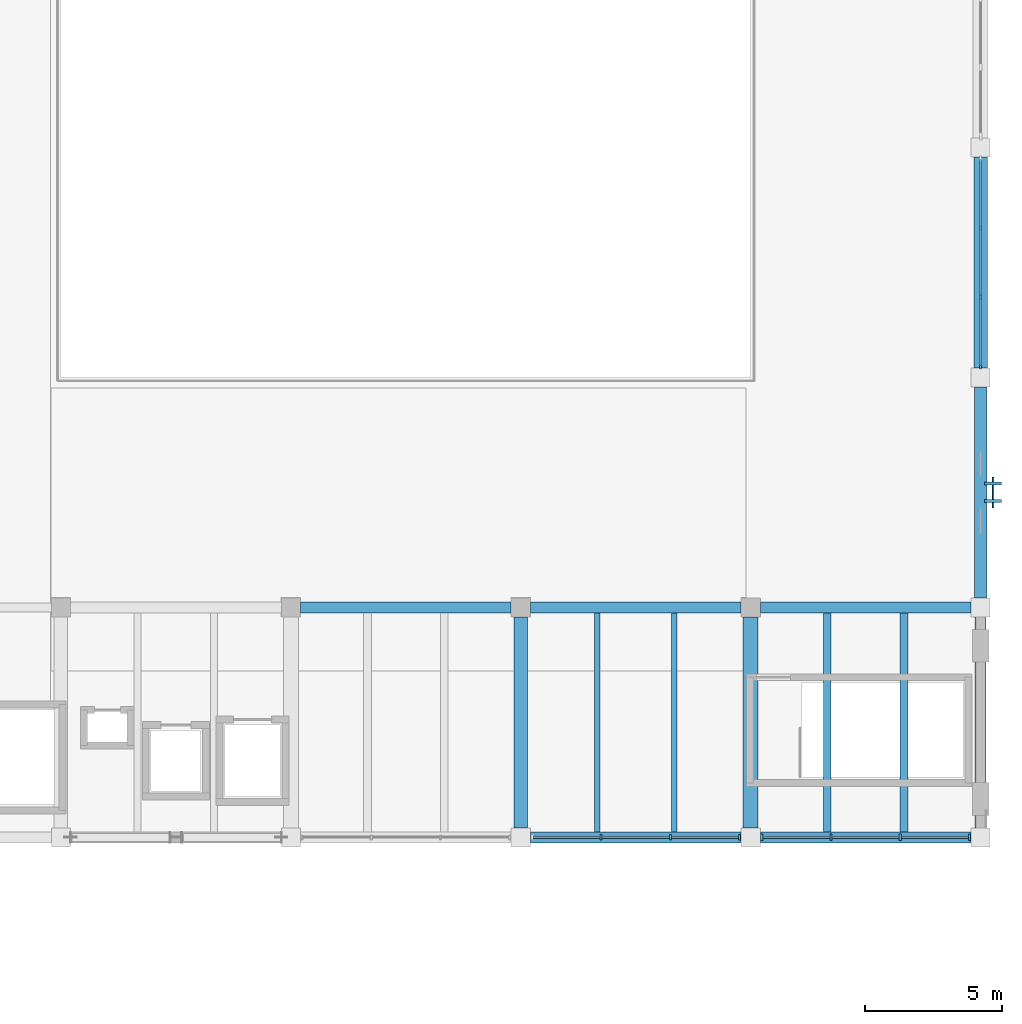
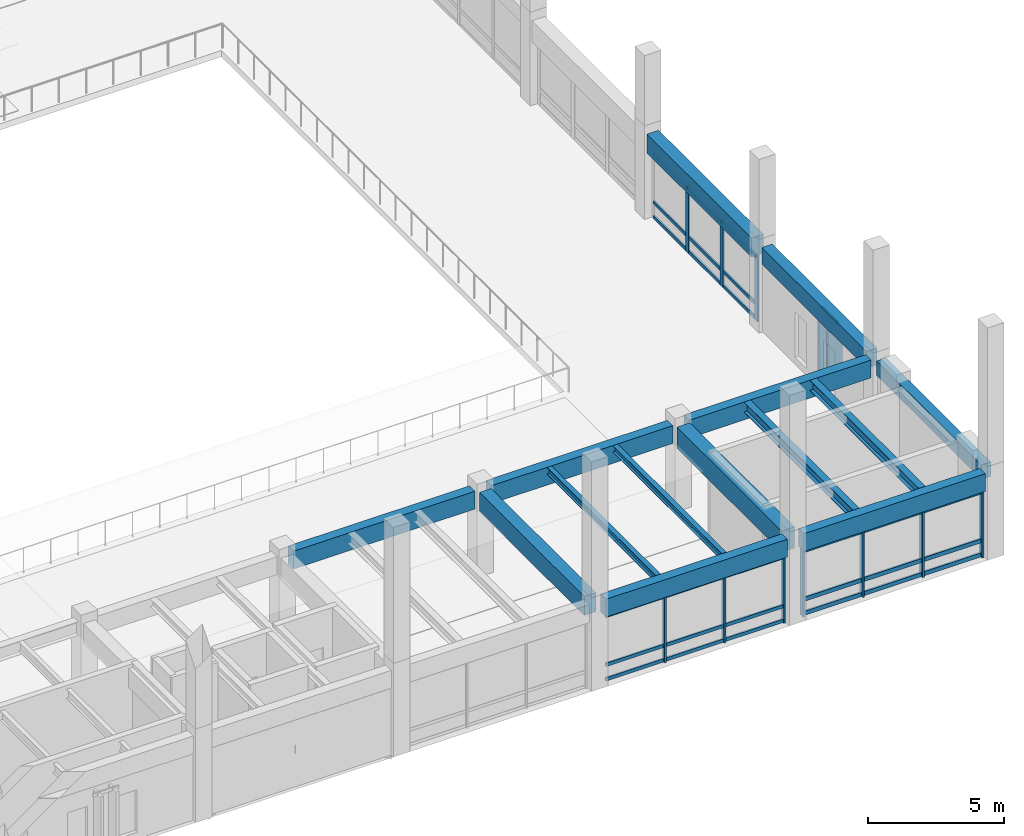
# One storey, part 53 of 132: 40 members, 14 beams, 4 elements without a shape of their own.
"""IFC4 building model written with IfcOpenShell, lengths in metres."""

import ifcopenshell
import ifcopenshell.guid

model = None  # the IFC model being written
_history = None  # IfcOwnerHistory: only IFC2X3 demands one
_inside = {}  # id of a spatial element -> (the spatial element, [elements in it])
_under = {}  # id of a project, library or spatial element -> (it, [spatial elements below it])
_declared = {}  # id of a project -> (the project, [libraries it declares])
_typed = {}  # id of a type object -> (the type object, [elements of that type])
_made_of = {}  # id of a material, layer set ... -> (it, [elements and type objects made of it])


def new_model(schema):
    """Start an empty IFC model of exactly this schema.

    Asked for "IFC4X3", IfcOpenShell would pick the latest addendum, in which some entities
    have other attributes; the version numbers below select the first issue.
    IFC2X3 requires an IfcOwnerHistory on every rooted entity: one is made here for all.
    """
    global model, _history
    if schema == "IFC4X3":
        model = ifcopenshell.file(schema_version=(4, 3, 0, 0))
    else:
        model = ifcopenshell.file(schema=schema)
    _inside.clear()
    _under.clear()
    _declared.clear()
    _typed.clear()
    _made_of.clear()
    _history = None
    if model.schema == "IFC2X3":
        org = make("IfcOrganization", Name="unknown")
        user = make(
            "IfcPersonAndOrganization",
            ThePerson=make("IfcPerson", FamilyName="unknown"),
            TheOrganization=org,
        )
        app = make(
            "IfcApplication",
            ApplicationDeveloper=org,
            Version="unknown",
            ApplicationFullName="unknown",
            ApplicationIdentifier="unknown",
        )
        _history = make(
            "IfcOwnerHistory",
            OwningUser=user,
            OwningApplication=app,
            ChangeAction="ADDED",
            CreationDate=0,
        )
    return model


def make(cls, **values):
    """One entity of the class cls with the attributes given. An attribute that is None is left unset."""
    return model.create_entity(
        cls, **{name: value for name, value in values.items() if value is not None}
    )


def rooted(cls, **values):
    """An entity with a GlobalId (a new one), such as an element, a storey or a relation."""
    return make(cls, GlobalId=ifcopenshell.guid.new(), OwnerHistory=_history, **values)


def si_unit(unit_type, name, prefix=None):
    """IfcSIUnit, for example si_unit("LENGTHUNIT", "METRE", prefix="MILLI")."""
    return make("IfcSIUnit", UnitType=unit_type, Prefix=prefix, Name=name)


def assignment(units):
    """IfcUnitAssignment: the units of a project."""
    return None if units is None else make("IfcUnitAssignment", Units=units)


def point(xyz):
    """IfcCartesianPoint."""
    return None if xyz is None else make("IfcCartesianPoint", Coordinates=xyz)


def direction(xyz):
    """IfcDirection."""
    return None if xyz is None else make("IfcDirection", DirectionRatios=xyz)


def frame(location, z_axis=None, x_axis=None):
    """IfcAxis2Placement3D, a coordinate frame: its origin and axes. An axis left out is left unset."""
    return make(
        "IfcAxis2Placement3D",
        Location=point(location),
        Axis=direction(z_axis),
        RefDirection=direction(x_axis),
    )


def frame_2d(location, x_axis=None):
    """IfcAxis2Placement2D, a coordinate frame in the plane: its origin and x axis."""
    return make(
        "IfcAxis2Placement2D", Location=point(location), RefDirection=direction(x_axis)
    )


def origin():
    """The frame at (0, 0, 0) with its axes left unset."""
    return frame((0.0, 0.0, 0.0))


def origin_2d():
    """The frame at (0, 0) in the plane with its x axis left unset."""
    return frame_2d((0.0, 0.0))


def place(relative_to, where):
    """IfcLocalPlacement: puts the frame where relative to a parent placement (None: the world)."""
    return make(
        "IfcLocalPlacement", PlacementRelTo=relative_to, RelativePlacement=where
    )


def context(
    kind, dimensions, precision=None, world=None, true_north=None, identifier=None
):
    """IfcGeometricRepresentationContext, for example the 3D "Model" context."""
    return make(
        "IfcGeometricRepresentationContext",
        ContextIdentifier=identifier,
        ContextType=kind,
        CoordinateSpaceDimension=dimensions,
        Precision=precision,
        WorldCoordinateSystem=world,
        TrueNorth=true_north,
    )


def subcontext(parent, identifier, kind, view, scale=None):
    """IfcGeometricRepresentationSubContext, for example "Body" below "Model"."""
    return make(
        "IfcGeometricRepresentationSubContext",
        ContextIdentifier=identifier,
        ContextType=kind,
        ParentContext=parent,
        TargetScale=scale,
        TargetView=view,
    )


def project(units=None, contexts=None):
    """IfcProject with its units and contexts."""
    return rooted(
        "IfcProject",
        Name="project",
        RepresentationContexts=contexts,
        UnitsInContext=assignment(units),
    )


def spatial(cls, under=None, at=None, **own):
    """A site, building, storey or space (cls), placed at a placement, below another one or the project."""
    s = rooted(cls, ObjectPlacement=at, **own)
    if under is not None:
        _under.setdefault(under.id(), (under, []))[1].append(s)
    return s


def profile(cls, at=None, kind="AREA", **sizes):
    """A parametric profile (cls). Its sizes go by their IFC names, for example OverallWidth=200.0."""
    return make(cls, ProfileType=kind, Position=at, **sizes)


def rectangle(**sizes):
    """IfcRectangleProfileDef."""
    return profile("IfcRectangleProfileDef", **sizes)


def i_section(**sizes):
    """IfcIShapeProfileDef."""
    return profile("IfcIShapeProfileDef", **sizes)


def extrude(swept, where, along, depth):
    """IfcExtrudedAreaSolid: the profile swept, set in the frame where, extruded along a direction by depth."""
    return make(
        "IfcExtrudedAreaSolid",
        SweptArea=swept,
        Position=where,
        ExtrudedDirection=direction(along),
        Depth=depth,
    )


def shape(context_of_items, identifier, shape_type, items):
    """IfcShapeRepresentation: the items that make up one representation, for example the "Body"."""
    return make(
        "IfcShapeRepresentation",
        ContextOfItems=context_of_items,
        RepresentationIdentifier=identifier,
        RepresentationType=shape_type,
        Items=items,
    )


def material(Name=None, Category=None):
    """IfcMaterial."""
    return make("IfcMaterial", Name=Name, Category=Category)


def material_profile(
    of_material, cross_section, Name=None, Category=None, Priority=None
):
    """IfcMaterialProfile: a cross section and its material."""
    return make(
        "IfcMaterialProfile",
        Name=Name,
        Material=of_material,
        Profile=cross_section,
        Priority=Priority,
        Category=Category,
    )


def profile_set(profiles, Name=None, composite=None):
    """IfcMaterialProfileSet."""
    return make(
        "IfcMaterialProfileSet",
        Name=Name,
        MaterialProfiles=profiles,
        CompositeProfile=composite,
    )


def made_of(thing, what):
    """Note that an element or type object is made of a material, layer set ...; save() writes the relation."""
    if what is not None:
        _made_of.setdefault(what.id(), (what, []))[1].append(thing)
    return thing


def type_object(cls, material=None, **own):
    """A type object (cls), such as IfcWallType, which elements share."""
    return made_of(rooted(cls, **own), material)


def element(
    cls,
    number,
    at=None,
    inside=None,
    cuts=None,
    type_object=None,
    material=None,
    context=None,
    identifier="Body",
    shape_type=None,
    held_by="IfcProductDefinitionShape",
    body=None,
    shapes=None,
    **own,
):
    """One element of the class cls, such as IfcWall. Its Tag is "e" and its number.

    at: its placement. inside: the storey or other place that contains it. cuts: it is an
    opening in that element (IfcRelVoidsElement). A single representation is given by context,
    identifier, shape_type and body (its items); several are given by shapes. held_by: the class
    of the entity that holds the representations. save() writes the other relations.
    """
    e = rooted(cls, Tag="e%d" % number, ObjectPlacement=at, **own)
    if body is not None:
        shapes = [shape(context, identifier, shape_type, body)]
    if shapes is not None:
        e.Representation = make(held_by, Representations=shapes)
    if inside is not None:
        _inside.setdefault(inside.id(), (inside, []))[1].append(e)
    if cuts is not None:
        rooted(
            "IfcRelVoidsElement", RelatingBuildingElement=cuts, RelatedOpeningElement=e
        )
    if type_object is not None:
        _typed.setdefault(type_object.id(), (type_object, []))[1].append(e)
    return made_of(e, material)


def aggregate(whole, parts):
    """IfcRelAggregates: a whole, such as a stair, and the parts it consists of."""
    return rooted("IfcRelAggregates", RelatingObject=whole, RelatedObjects=parts)


def save(model, path):
    """Write the relations noted so far, then the file.

    IfcRelAggregates (storeys below a building ...), IfcRelContainedInSpatialStructure (elements
    in a storey), IfcRelDefinesByType, IfcRelAssociatesMaterial and IfcRelDeclares: one each for
    every whole, place, type object, material and project.
    """
    for whole, parts in _under.values():
        aggregate(whole, parts)
    for where, things in _inside.values():
        rooted(
            "IfcRelContainedInSpatialStructure",
            RelatedElements=things,
            RelatingStructure=where,
        )
    for kind, things in _typed.values():
        rooted("IfcRelDefinesByType", RelatedObjects=things, RelatingType=kind)
    for what, things in _made_of.values():
        rooted("IfcRelAssociatesMaterial", RelatedObjects=things, RelatingMaterial=what)
    for by, libraries in _declared.values():
        rooted("IfcRelDeclares", RelatingContext=by, RelatedDefinitions=libraries)
    model.write(path)


model = new_model("IFC4")

# Units and contexts
model_context = context("Model", 3, precision=1e-05, world=origin(), true_north=direction((0.0, 1.0)))
body_context = subcontext(model_context, "Body", "Model", "MODEL_VIEW")
ifc_project = project(units=[si_unit("LENGTHUNIT", "METRE"), si_unit("AREAUNIT", "SQUARE_METRE"), si_unit("VOLUMEUNIT", "CUBIC_METRE"), si_unit("PLANEANGLEUNIT", "RADIAN"), si_unit("MASSUNIT", "GRAM", prefix="KILO")], contexts=[model_context])

# Site, building, storey
site_placement = place(None, origin())
site = spatial("IfcSite", under=ifc_project, at=site_placement, CompositionType="ELEMENT")
building_placement = place(site_placement, origin())
building = spatial("IfcBuilding", under=site, at=building_placement, Name="Cumbredor Promenade Congress Hotel", CompositionType="ELEMENT")
storey_placement = place(building_placement, frame((0.0, 0.0, 7.56005859375)))
storey = spatial("IfcBuildingStorey", under=building, at=storey_placement, Name="L02", CompositionType="ELEMENT", Elevation=7.56005859375)

# Beams
ifc_material_1 = material(Name="Concrete C40/50", Category="concrete")
ifc_material_profile_1 = material_profile(ifc_material_1, rectangle(XDim=0.39990234375, YDim=0.64990234375, at=origin_2d()), Name="RC BEAM 400x650")
ifc_profile_set_1 = profile_set([ifc_material_profile_1], Name="Concrete C40/50")
beam_type_1 = type_object("IfcBeamType", Name="BM-RC-400x650", PredefinedType="BEAM", material=ifc_profile_set_1)
beam_1_placement = place(storey_placement, frame((184.800048828125, 8.75, 3.474853515625), z_axis=(0.0, 1.0, 0.0), x_axis=(-1.0, 0.0, 0.0)))
element("IfcBeam", 1, at=beam_1_placement, inside=storey, type_object=beam_type_1, Name="L03 Y-Grid Beam 252", PredefinedType="BEAM", context=body_context, shape_type="SweptSolid", body=[
    extrude(rectangle(XDim=0.39990234375, YDim=0.64990234375, at=origin_2d()), origin(), (0.0, 0.0, 1.0), 7.699951171875),
])
ifc_material_profile_2 = material_profile(ifc_material_1, rectangle(XDim=0.449951171875, YDim=0.75, at=origin_2d()), Name="RC BEAM 450x750")
ifc_profile_set_2 = profile_set([ifc_material_profile_2], Name="Concrete C40/50")
beam_type_2 = type_object("IfcBeamType", Name="BM-RC-450x750", PredefinedType="BEAM", material=ifc_profile_set_2)
beam_2_placement = place(storey_placement, frame((184.800048828125, 17.14990234375, 3.425048828125), z_axis=(0.0, 1.0, 0.0), x_axis=(-1.0, 0.0, 0.0)))
element("IfcBeam", 2, at=beam_2_placement, inside=storey, type_object=beam_type_2, Name="L03 Y-Grid Beam 253", PredefinedType="BEAM", context=body_context, shape_type="SweptSolid", body=[
    extrude(rectangle(XDim=0.449951171875, YDim=0.75, at=origin_2d()), origin(), (0.0, 0.0, 1.0), 7.7001953125),
])
ifc_material_profile_3 = material_profile(ifc_material_1, rectangle(XDim=0.5, YDim=0.85009765625, at=origin_2d()), Name="RC BEAM 500x850")
ifc_profile_set_3 = profile_set([ifc_material_profile_3], Name="Concrete C40/50")
beam_type_3 = type_object("IfcBeamType", Name="BM-RC-500x850", PredefinedType="BEAM", material=ifc_profile_set_3)
for number, where, z_axis, x_axis, name in (
    (3, (168.0, 8.75, 3.375), (0.0, 1.0, 0.0), (-1.0, 0.0, 0.0), "L03 Y-Grid Beam 230"),
    (4, (184.800048828125, 25.550048828125, 3.375), (0.0, 1.0, 0.0), (-1.0, 0.0, 0.0), "L03 Y-Grid Beam 254"),
):
    element("IfcBeam", number, at=place(storey_placement, frame(where, z_axis=z_axis, x_axis=x_axis)), inside=storey, type_object=beam_type_3, Name=name, PredefinedType="BEAM", context=body_context, shape_type="SweptSolid", body=[
        extrude(rectangle(XDim=0.5, YDim=0.85009765625, at=origin_2d()), origin(), (0.0, 0.0, 1.0), 7.699951171875),
    ])
ifc_material_profile_4 = material_profile(ifc_material_1, rectangle(XDim=0.550048828125, YDim=0.949951171875, at=origin_2d()), Name="RC BEAM 550x950")
ifc_profile_set_4 = profile_set([ifc_material_profile_4], Name="Concrete C40/50")
beam_type_4 = type_object("IfcBeamType", Name="BM-RC-550x950", PredefinedType="BEAM", material=ifc_profile_set_4)
beam_3_placement = place(storey_placement, frame((176.39990234375, 8.75, 3.324951171875), z_axis=(0.0, 1.0, 0.0), x_axis=(-1.0, 0.0, 0.0)))
element("IfcBeam", 5, at=beam_3_placement, inside=storey, type_object=beam_type_4, Name="L03 Y-Grid Beam 243", PredefinedType="BEAM", context=body_context, shape_type="SweptSolid", body=[
    extrude(rectangle(XDim=0.550048828125, YDim=0.949951171875, at=origin_2d()), origin(), (0.0, 0.0, 1.0), 7.699951171875),
])

# Curtain wall, members
ifc_material_2 = material(Name="Thermally broken anodized aluminium and low-E glass", Category="aluminium")
curtain_wall_type_1 = type_object("IfcCurtainWallType", Name="Unitised Bronze Curtain Wall CW-01", PredefinedType="NOTDEFINED", material=ifc_material_2)
curtain_wall_1_placement = place(storey_placement, origin())
curtain_wall_1 = element("IfcCurtainWall", 6, at=curtain_wall_1_placement, inside=storey, type_object=curtain_wall_type_1, Name="L02 Grand Ballroom Pavilion South Curtain Wall 4", PredefinedType="NOTDEFINED")
ifc_material_3 = material(Name="Thermally broken anodized aluminium", Category="aluminium")
ifc_material_profile_5 = material_profile(ifc_material_3, rectangle(XDim=0.074951171875, YDim=0.199951171875, at=origin_2d()), Name="ALU MULLION 75x200")
ifc_profile_set_5 = profile_set([ifc_material_profile_5], Name="Thermally broken anodized aluminium")
member_type_1 = type_object("IfcMemberType", Name="Curtain Wall Mullion ML-02", PredefinedType="MULLION", material=ifc_profile_set_5)
member_1_placement = place(storey_placement, frame((170.93505859375, 8.39990234375, -0.008056640625), z_axis=(0.0, 0.0, 1.0), x_axis=(1.0, 0.0, 0.0)))
member_1 = element("IfcMember", 7, at=member_1_placement, type_object=member_type_1, Name="L02 Grand Ballroom Pavilion South Curtain Wall 4 Mullion 2", PredefinedType="MULLION", context=body_context, shape_type="SweptSolid", body=[
    extrude(rectangle(XDim=0.074951171875, YDim=0.199951171875, at=origin_2d()), origin(), (0.0, 0.0, 1.0), 3.0009765625),
])
member_2_placement = place(storey_placement, frame((173.465087890625, 8.39990234375, -0.008056640625), z_axis=(0.0, 0.0, 1.0), x_axis=(1.0, 0.0, 0.0)))
member_2 = element("IfcMember", 8, at=member_2_placement, type_object=member_type_1, Name="L02 Grand Ballroom Pavilion South Curtain Wall 4 Mullion 3", PredefinedType="MULLION", context=body_context, shape_type="SweptSolid", body=[
    extrude(rectangle(XDim=0.074951171875, YDim=0.199951171875, at=origin_2d()), origin(), (0.0, 0.0, 1.0), 3.0009765625),
])
member_3_placement = place(storey_placement, frame((175.9951171875, 8.39990234375, -0.008056640625), z_axis=(0.0, 0.0, 1.0), x_axis=(1.0, 0.0, 0.0)))
member_3 = element("IfcMember", 9, at=member_3_placement, type_object=member_type_1, Name="L02 Grand Ballroom Pavilion South Curtain Wall 4 Mullion 4", PredefinedType="MULLION", context=body_context, shape_type="SweptSolid", body=[
    extrude(rectangle(XDim=0.074951171875, YDim=0.199951171875, at=origin_2d()), origin(), (0.0, 0.0, 1.0), 3.0009765625),
])

curtain_wall_2_placement = place(storey_placement, origin())
curtain_wall_2 = element("IfcCurtainWall", 10, at=curtain_wall_2_placement, inside=storey, type_object=curtain_wall_type_1, Name="L02 Grand Ballroom Pavilion East Curtain Wall 3", PredefinedType="NOTDEFINED")
member_4_placement = place(storey_placement, frame((184.800048828125, 25.60498046875, -0.008056640625), z_axis=(0.0, 0.0, 1.0), x_axis=(1.0, 0.0, 0.0)))
member_4 = element("IfcMember", 11, at=member_4_placement, type_object=member_type_1, Name="L02 Grand Ballroom Pavilion East Curtain Wall 3 Mullion 1", PredefinedType="MULLION", context=body_context, shape_type="SweptSolid", body=[
    extrude(rectangle(XDim=0.074951171875, YDim=0.199951171875, at=origin_2d()), origin(), (0.0, 0.0, 1.0), 2.950927734375),
])
member_5_placement = place(storey_placement, frame((184.800048828125, 28.135009765625, -0.008056640625), z_axis=(0.0, 0.0, 1.0), x_axis=(1.0, 0.0, 0.0)))
member_5 = element("IfcMember", 12, at=member_5_placement, type_object=member_type_1, Name="L02 Grand Ballroom Pavilion East Curtain Wall 3 Mullion 2", PredefinedType="MULLION", context=body_context, shape_type="SweptSolid", body=[
    extrude(rectangle(XDim=0.074951171875, YDim=0.199951171875, at=origin_2d()), origin(), (0.0, 0.0, 1.0), 2.950927734375),
])
member_6_placement = place(storey_placement, frame((184.800048828125, 30.6650390625, -0.008056640625), z_axis=(0.0, 0.0, 1.0), x_axis=(1.0, 0.0, 0.0)))
member_6 = element("IfcMember", 13, at=member_6_placement, type_object=member_type_1, Name="L02 Grand Ballroom Pavilion East Curtain Wall 3 Mullion 3", PredefinedType="MULLION", context=body_context, shape_type="SweptSolid", body=[
    extrude(rectangle(XDim=0.074951171875, YDim=0.199951171875, at=origin_2d()), origin(), (0.0, 0.0, 1.0), 2.950927734375),
])

curtain_wall_3_placement = place(storey_placement, origin())
curtain_wall_3 = element("IfcCurtainWall", 14, at=curtain_wall_3_placement, inside=storey, type_object=curtain_wall_type_1, Name="L02 Grand Ballroom Pavilion South Curtain Wall 5", PredefinedType="NOTDEFINED")
ifc_material_profile_6 = material_profile(ifc_material_3, rectangle(XDim=0.080078125, YDim=0.239990234375, at=origin_2d()), Name="ALU MULLION 80x240")
ifc_profile_set_6 = profile_set([ifc_material_profile_6], Name="Thermally broken anodized aluminium")
member_type_2 = type_object("IfcMemberType", Name="Curtain Wall Mullion ML-03", PredefinedType="MULLION", material=ifc_profile_set_6)
member_7_placement = place(storey_placement, frame((176.804931640625, 8.39990234375, -0.008056640625), z_axis=(0.0, 0.0, 1.0), x_axis=(1.0, 0.0, 0.0)))
member_7 = element("IfcMember", 15, at=member_7_placement, type_object=member_type_2, Name="L02 Grand Ballroom Pavilion South Curtain Wall 5 Mullion 1", PredefinedType="MULLION", context=body_context, shape_type="SweptSolid", body=[
    extrude(rectangle(XDim=0.080078125, YDim=0.239990234375, at=origin_2d()), origin(), (0.0, 0.0, 1.0), 3.0009765625),
])
member_8_placement = place(storey_placement, frame((179.3349609375, 8.39990234375, -0.008056640625), z_axis=(0.0, 0.0, 1.0), x_axis=(1.0, 0.0, 0.0)))
member_8 = element("IfcMember", 16, at=member_8_placement, type_object=member_type_2, Name="L02 Grand Ballroom Pavilion South Curtain Wall 5 Mullion 2", PredefinedType="MULLION", context=body_context, shape_type="SweptSolid", body=[
    extrude(rectangle(XDim=0.080078125, YDim=0.239990234375, at=origin_2d()), origin(), (0.0, 0.0, 1.0), 3.0009765625),
])
member_9_placement = place(storey_placement, frame((181.864990234375, 8.39990234375, -0.008056640625), z_axis=(0.0, 0.0, 1.0), x_axis=(1.0, 0.0, 0.0)))
member_9 = element("IfcMember", 17, at=member_9_placement, type_object=member_type_2, Name="L02 Grand Ballroom Pavilion South Curtain Wall 5 Mullion 3", PredefinedType="MULLION", context=body_context, shape_type="SweptSolid", body=[
    extrude(rectangle(XDim=0.080078125, YDim=0.239990234375, at=origin_2d()), origin(), (0.0, 0.0, 1.0), 3.0009765625),
])
member_10_placement = place(storey_placement, frame((184.39501953125, 8.39990234375, -0.008056640625), z_axis=(0.0, 0.0, 1.0), x_axis=(1.0, 0.0, 0.0)))
member_10 = element("IfcMember", 18, at=member_10_placement, type_object=member_type_2, Name="L02 Grand Ballroom Pavilion South Curtain Wall 5 Mullion 4", PredefinedType="MULLION", context=body_context, shape_type="SweptSolid", body=[
    extrude(rectangle(XDim=0.080078125, YDim=0.239990234375, at=origin_2d()), origin(), (0.0, 0.0, 1.0), 3.0009765625),
])

# Curtain wall, member
curtain_wall_type_2 = type_object("IfcCurtainWallType", Name="Solar Brise-Soleil Screen Assembly CW-07", PredefinedType="NOTDEFINED", material=ifc_material_2)
curtain_wall_4_placement = place(storey_placement, origin())
curtain_wall_4 = element("IfcCurtainWall", 19, at=curtain_wall_4_placement, inside=storey, type_object=curtain_wall_type_2, Name="L02 Pier Brise-Soleil Screen 0391", PredefinedType="NOTDEFINED")
ifc_material_profile_7 = material_profile(ifc_material_3, rectangle(XDim=0.06494140625, YDim=0.1298828125, at=origin_2d()), Name="ALU TRANSOM 65x130")
ifc_profile_set_7 = profile_set([ifc_material_profile_7], Name="Thermally broken anodized aluminium")
member_type_3 = type_object("IfcMemberType", Name="Curtain Wall Transom TR-01", PredefinedType="USERDEFINED", material=ifc_profile_set_7)
member_11_placement = place(storey_placement, frame((185.25, 20.449951171875, 2.875), z_axis=(0.0, 1.0, 0.0), x_axis=(-1.0, 0.0, 0.0)))
member_11 = element("IfcMember", 20, at=member_11_placement, type_object=member_type_3, Name="L02 Pier Brise-Soleil Header 0393", ObjectType="TRANSOM", PredefinedType="USERDEFINED", context=body_context, shape_type="SweptSolid", body=[
    extrude(rectangle(XDim=0.06494140625, YDim=0.1298828125, at=origin_2d()), origin(), (0.0, 0.0, 1.0), 1.10009765625),
])

# Member
ifc_material_profile_8 = material_profile(ifc_material_3, rectangle(XDim=0.074951171875, YDim=0.14990234375, at=origin_2d()), Name="ALU TRANSOM 75x150")
ifc_profile_set_8 = profile_set([ifc_material_profile_8], Name="Thermally broken anodized aluminium")
member_type_4 = type_object("IfcMemberType", Name="Curtain Wall Transom TR-02", PredefinedType="USERDEFINED", material=ifc_profile_set_8)
member_12_placement = place(storey_placement, frame((168.4423828125, 8.39990234375, 0.06982421875), z_axis=(1.0, 0.0, 0.0), x_axis=(0.0, 1.0, 0.0)))
member_12 = element("IfcMember", 21, at=member_12_placement, type_object=member_type_4, Name="L02 Grand Ballroom Pavilion South Curtain Wall 4 Transom 1.1", ObjectType="TRANSOM", PredefinedType="USERDEFINED", context=body_context, shape_type="SweptSolid", body=[
    extrude(rectangle(XDim=0.074951171875, YDim=0.14990234375, at=origin_2d()), origin(), (0.0, 0.0, 1.0), 2.455078125),
])

member_13_placement = place(storey_placement, frame((168.4423828125, 8.39990234375, 0.719970703125), z_axis=(1.0, 0.0, 0.0), x_axis=(0.0, 1.0, 0.0)))
member_13 = element("IfcMember", 22, at=member_13_placement, type_object=member_type_4, Name="L02 Grand Ballroom Pavilion South Curtain Wall 4 Transom 1.2", ObjectType="TRANSOM", PredefinedType="USERDEFINED", context=body_context, shape_type="SweptSolid", body=[
    extrude(rectangle(XDim=0.074951171875, YDim=0.14990234375, at=origin_2d()), origin(), (0.0, 0.0, 1.0), 2.455078125),
])

member_14_placement = place(storey_placement, frame((168.4423828125, 8.39990234375, 2.909912109375), z_axis=(1.0, 0.0, 0.0), x_axis=(0.0, 1.0, 0.0)))
member_14 = element("IfcMember", 23, at=member_14_placement, type_object=member_type_4, Name="L02 Grand Ballroom Pavilion South Curtain Wall 4 Transom 1.3", ObjectType="TRANSOM", PredefinedType="USERDEFINED", context=body_context, shape_type="SweptSolid", body=[
    extrude(rectangle(XDim=0.074951171875, YDim=0.14990234375, at=origin_2d()), origin(), (0.0, 0.0, 1.0), 2.455078125),
])

member_15_placement = place(storey_placement, frame((170.972412109375, 8.39990234375, 0.06982421875), z_axis=(1.0, 0.0, 0.0), x_axis=(0.0, 1.0, 0.0)))
member_15 = element("IfcMember", 24, at=member_15_placement, type_object=member_type_4, Name="L02 Grand Ballroom Pavilion South Curtain Wall 4 Transom 2.1", ObjectType="TRANSOM", PredefinedType="USERDEFINED", context=body_context, shape_type="SweptSolid", body=[
    extrude(rectangle(XDim=0.074951171875, YDim=0.14990234375, at=origin_2d()), origin(), (0.0, 0.0, 1.0), 2.455078125),
])

member_16_placement = place(storey_placement, frame((170.972412109375, 8.39990234375, 0.719970703125), z_axis=(1.0, 0.0, 0.0), x_axis=(0.0, 1.0, 0.0)))
member_16 = element("IfcMember", 25, at=member_16_placement, type_object=member_type_4, Name="L02 Grand Ballroom Pavilion South Curtain Wall 4 Transom 2.2", ObjectType="TRANSOM", PredefinedType="USERDEFINED", context=body_context, shape_type="SweptSolid", body=[
    extrude(rectangle(XDim=0.074951171875, YDim=0.14990234375, at=origin_2d()), origin(), (0.0, 0.0, 1.0), 2.455078125),
])

member_17_placement = place(storey_placement, frame((170.972412109375, 8.39990234375, 2.909912109375), z_axis=(1.0, 0.0, 0.0), x_axis=(0.0, 1.0, 0.0)))
member_17 = element("IfcMember", 26, at=member_17_placement, type_object=member_type_4, Name="L02 Grand Ballroom Pavilion South Curtain Wall 4 Transom 2.3", ObjectType="TRANSOM", PredefinedType="USERDEFINED", context=body_context, shape_type="SweptSolid", body=[
    extrude(rectangle(XDim=0.074951171875, YDim=0.14990234375, at=origin_2d()), origin(), (0.0, 0.0, 1.0), 2.455078125),
])

member_18_placement = place(storey_placement, frame((173.50244140625, 8.39990234375, 0.06982421875), z_axis=(1.0, 0.0, 0.0), x_axis=(0.0, 1.0, 0.0)))
member_18 = element("IfcMember", 27, at=member_18_placement, type_object=member_type_4, Name="L02 Grand Ballroom Pavilion South Curtain Wall 4 Transom 3.1", ObjectType="TRANSOM", PredefinedType="USERDEFINED", context=body_context, shape_type="SweptSolid", body=[
    extrude(rectangle(XDim=0.074951171875, YDim=0.14990234375, at=origin_2d()), origin(), (0.0, 0.0, 1.0), 2.455078125),
])

member_19_placement = place(storey_placement, frame((173.50244140625, 8.39990234375, 0.719970703125), z_axis=(1.0, 0.0, 0.0), x_axis=(0.0, 1.0, 0.0)))
member_19 = element("IfcMember", 28, at=member_19_placement, type_object=member_type_4, Name="L02 Grand Ballroom Pavilion South Curtain Wall 4 Transom 3.2", ObjectType="TRANSOM", PredefinedType="USERDEFINED", context=body_context, shape_type="SweptSolid", body=[
    extrude(rectangle(XDim=0.074951171875, YDim=0.14990234375, at=origin_2d()), origin(), (0.0, 0.0, 1.0), 2.455078125),
])

member_20_placement = place(storey_placement, frame((173.50244140625, 8.39990234375, 2.909912109375), z_axis=(1.0, 0.0, 0.0), x_axis=(0.0, 1.0, 0.0)))
member_20 = element("IfcMember", 29, at=member_20_placement, type_object=member_type_4, Name="L02 Grand Ballroom Pavilion South Curtain Wall 4 Transom 3.3", ObjectType="TRANSOM", PredefinedType="USERDEFINED", context=body_context, shape_type="SweptSolid", body=[
    extrude(rectangle(XDim=0.074951171875, YDim=0.14990234375, at=origin_2d()), origin(), (0.0, 0.0, 1.0), 2.455078125),
])

aggregate(curtain_wall_1, [member_1, member_2, member_3, member_12, member_13, member_14, member_15, member_16, member_17, member_18, member_19, member_20])

member_21_placement = place(storey_placement, frame((184.800048828125, 25.642578125, 0.06982421875), z_axis=(0.0, 1.0, 0.0), x_axis=(-1.0, 0.0, 0.0)))
member_21 = element("IfcMember", 30, at=member_21_placement, type_object=member_type_4, Name="L02 Grand Ballroom Pavilion East Curtain Wall 3 Transom 1.1", ObjectType="TRANSOM", PredefinedType="USERDEFINED", context=body_context, shape_type="SweptSolid", body=[
    extrude(rectangle(XDim=0.074951171875, YDim=0.14990234375, at=origin_2d()), origin(), (0.0, 0.0, 1.0), 2.454833984375),
])

member_22_placement = place(storey_placement, frame((184.800048828125, 25.642578125, 0.719970703125), z_axis=(0.0, 1.0, 0.0), x_axis=(-1.0, 0.0, 0.0)))
member_22 = element("IfcMember", 31, at=member_22_placement, type_object=member_type_4, Name="L02 Grand Ballroom Pavilion East Curtain Wall 3 Transom 1.2", ObjectType="TRANSOM", PredefinedType="USERDEFINED", context=body_context, shape_type="SweptSolid", body=[
    extrude(rectangle(XDim=0.074951171875, YDim=0.14990234375, at=origin_2d()), origin(), (0.0, 0.0, 1.0), 2.454833984375),
])

member_23_placement = place(storey_placement, frame((184.800048828125, 25.642578125, 2.85986328125), z_axis=(0.0, 1.0, 0.0), x_axis=(-1.0, 0.0, 0.0)))
member_23 = element("IfcMember", 32, at=member_23_placement, type_object=member_type_4, Name="L02 Grand Ballroom Pavilion East Curtain Wall 3 Transom 1.3", ObjectType="TRANSOM", PredefinedType="USERDEFINED", context=body_context, shape_type="SweptSolid", body=[
    extrude(rectangle(XDim=0.074951171875, YDim=0.14990234375, at=origin_2d()), origin(), (0.0, 0.0, 1.0), 2.454833984375),
])

member_24_placement = place(storey_placement, frame((184.800048828125, 28.172607421875, 0.06982421875), z_axis=(0.0, 1.0, 0.0), x_axis=(-1.0, 0.0, 0.0)))
member_24 = element("IfcMember", 33, at=member_24_placement, type_object=member_type_4, Name="L02 Grand Ballroom Pavilion East Curtain Wall 3 Transom 2.1", ObjectType="TRANSOM", PredefinedType="USERDEFINED", context=body_context, shape_type="SweptSolid", body=[
    extrude(rectangle(XDim=0.074951171875, YDim=0.14990234375, at=origin_2d()), origin(), (0.0, 0.0, 1.0), 2.454833984375),
])

member_25_placement = place(storey_placement, frame((184.800048828125, 28.172607421875, 0.719970703125), z_axis=(0.0, 1.0, 0.0), x_axis=(-1.0, 0.0, 0.0)))
member_25 = element("IfcMember", 34, at=member_25_placement, type_object=member_type_4, Name="L02 Grand Ballroom Pavilion East Curtain Wall 3 Transom 2.2", ObjectType="TRANSOM", PredefinedType="USERDEFINED", context=body_context, shape_type="SweptSolid", body=[
    extrude(rectangle(XDim=0.074951171875, YDim=0.14990234375, at=origin_2d()), origin(), (0.0, 0.0, 1.0), 2.454833984375),
])

member_26_placement = place(storey_placement, frame((184.800048828125, 28.172607421875, 2.85986328125), z_axis=(0.0, 1.0, 0.0), x_axis=(-1.0, 0.0, 0.0)))
member_26 = element("IfcMember", 35, at=member_26_placement, type_object=member_type_4, Name="L02 Grand Ballroom Pavilion East Curtain Wall 3 Transom 2.3", ObjectType="TRANSOM", PredefinedType="USERDEFINED", context=body_context, shape_type="SweptSolid", body=[
    extrude(rectangle(XDim=0.074951171875, YDim=0.14990234375, at=origin_2d()), origin(), (0.0, 0.0, 1.0), 2.454833984375),
])

member_27_placement = place(storey_placement, frame((184.800048828125, 30.702392578125, 0.06982421875), z_axis=(0.0, 1.0, 0.0), x_axis=(-1.0, 0.0, 0.0)))
member_27 = element("IfcMember", 36, at=member_27_placement, type_object=member_type_4, Name="L02 Grand Ballroom Pavilion East Curtain Wall 3 Transom 3.1", ObjectType="TRANSOM", PredefinedType="USERDEFINED", context=body_context, shape_type="SweptSolid", body=[
    extrude(rectangle(XDim=0.074951171875, YDim=0.14990234375, at=origin_2d()), origin(), (0.0, 0.0, 1.0), 2.455078125),
])

member_28_placement = place(storey_placement, frame((184.800048828125, 30.702392578125, 0.719970703125), z_axis=(0.0, 1.0, 0.0), x_axis=(-1.0, 0.0, 0.0)))
member_28 = element("IfcMember", 37, at=member_28_placement, type_object=member_type_4, Name="L02 Grand Ballroom Pavilion East Curtain Wall 3 Transom 3.2", ObjectType="TRANSOM", PredefinedType="USERDEFINED", context=body_context, shape_type="SweptSolid", body=[
    extrude(rectangle(XDim=0.074951171875, YDim=0.14990234375, at=origin_2d()), origin(), (0.0, 0.0, 1.0), 2.455078125),
])

member_29_placement = place(storey_placement, frame((184.800048828125, 30.702392578125, 2.85986328125), z_axis=(0.0, 1.0, 0.0), x_axis=(-1.0, 0.0, 0.0)))
member_29 = element("IfcMember", 38, at=member_29_placement, type_object=member_type_4, Name="L02 Grand Ballroom Pavilion East Curtain Wall 3 Transom 3.3", ObjectType="TRANSOM", PredefinedType="USERDEFINED", context=body_context, shape_type="SweptSolid", body=[
    extrude(rectangle(XDim=0.074951171875, YDim=0.14990234375, at=origin_2d()), origin(), (0.0, 0.0, 1.0), 2.455078125),
])

aggregate(curtain_wall_2, [member_4, member_5, member_6, member_21, member_22, member_23, member_24, member_25, member_26, member_27, member_28, member_29])

ifc_material_profile_9 = material_profile(ifc_material_3, rectangle(XDim=0.080078125, YDim=0.179931640625, at=origin_2d()), Name="ALU TRANSOM 80x180")
ifc_profile_set_9 = profile_set([ifc_material_profile_9], Name="Thermally broken anodized aluminium")
member_type_5 = type_object("IfcMemberType", Name="Curtain Wall Transom TR-03", PredefinedType="USERDEFINED", material=ifc_profile_set_9)
member_30_placement = place(storey_placement, frame((176.844970703125, 8.39990234375, 0.08984375), z_axis=(1.0, 0.0, 0.0), x_axis=(0.0, 1.0, 0.0)))
member_30 = element("IfcMember", 39, at=member_30_placement, type_object=member_type_5, Name="L02 Grand Ballroom Pavilion South Curtain Wall 5 Transom 1.1", ObjectType="TRANSOM", PredefinedType="USERDEFINED", context=body_context, shape_type="SweptSolid", body=[
    extrude(rectangle(XDim=0.080078125, YDim=0.179931640625, at=origin_2d()), origin(), (0.0, 0.0, 1.0), 2.449951171875),
])

member_31_placement = place(storey_placement, frame((176.844970703125, 8.39990234375, 0.719970703125), z_axis=(1.0, 0.0, 0.0), x_axis=(0.0, 1.0, 0.0)))
member_31 = element("IfcMember", 40, at=member_31_placement, type_object=member_type_5, Name="L02 Grand Ballroom Pavilion South Curtain Wall 5 Transom 1.2", ObjectType="TRANSOM", PredefinedType="USERDEFINED", context=body_context, shape_type="SweptSolid", body=[
    extrude(rectangle(XDim=0.080078125, YDim=0.179931640625, at=origin_2d()), origin(), (0.0, 0.0, 1.0), 2.449951171875),
])

member_32_placement = place(storey_placement, frame((176.844970703125, 8.39990234375, 2.89990234375), z_axis=(1.0, 0.0, 0.0), x_axis=(0.0, 1.0, 0.0)))
member_32 = element("IfcMember", 41, at=member_32_placement, type_object=member_type_5, Name="L02 Grand Ballroom Pavilion South Curtain Wall 5 Transom 1.3", ObjectType="TRANSOM", PredefinedType="USERDEFINED", context=body_context, shape_type="SweptSolid", body=[
    extrude(rectangle(XDim=0.080078125, YDim=0.179931640625, at=origin_2d()), origin(), (0.0, 0.0, 1.0), 2.449951171875),
])

member_33_placement = place(storey_placement, frame((179.375, 8.39990234375, 0.08984375), z_axis=(1.0, 0.0, 0.0), x_axis=(0.0, 1.0, 0.0)))
member_33 = element("IfcMember", 42, at=member_33_placement, type_object=member_type_5, Name="L02 Grand Ballroom Pavilion South Curtain Wall 5 Transom 2.1", ObjectType="TRANSOM", PredefinedType="USERDEFINED", context=body_context, shape_type="SweptSolid", body=[
    extrude(rectangle(XDim=0.080078125, YDim=0.179931640625, at=origin_2d()), origin(), (0.0, 0.0, 1.0), 2.449951171875),
])

member_34_placement = place(storey_placement, frame((179.375, 8.39990234375, 0.719970703125), z_axis=(1.0, 0.0, 0.0), x_axis=(0.0, 1.0, 0.0)))
member_34 = element("IfcMember", 43, at=member_34_placement, type_object=member_type_5, Name="L02 Grand Ballroom Pavilion South Curtain Wall 5 Transom 2.2", ObjectType="TRANSOM", PredefinedType="USERDEFINED", context=body_context, shape_type="SweptSolid", body=[
    extrude(rectangle(XDim=0.080078125, YDim=0.179931640625, at=origin_2d()), origin(), (0.0, 0.0, 1.0), 2.449951171875),
])

member_35_placement = place(storey_placement, frame((179.375, 8.39990234375, 2.89990234375), z_axis=(1.0, 0.0, 0.0), x_axis=(0.0, 1.0, 0.0)))
member_35 = element("IfcMember", 44, at=member_35_placement, type_object=member_type_5, Name="L02 Grand Ballroom Pavilion South Curtain Wall 5 Transom 2.3", ObjectType="TRANSOM", PredefinedType="USERDEFINED", context=body_context, shape_type="SweptSolid", body=[
    extrude(rectangle(XDim=0.080078125, YDim=0.179931640625, at=origin_2d()), origin(), (0.0, 0.0, 1.0), 2.449951171875),
])

member_36_placement = place(storey_placement, frame((181.905029296875, 8.39990234375, 0.08984375), z_axis=(1.0, 0.0, 0.0), x_axis=(0.0, 1.0, 0.0)))
member_36 = element("IfcMember", 45, at=member_36_placement, type_object=member_type_5, Name="L02 Grand Ballroom Pavilion South Curtain Wall 5 Transom 3.1", ObjectType="TRANSOM", PredefinedType="USERDEFINED", context=body_context, shape_type="SweptSolid", body=[
    extrude(rectangle(XDim=0.080078125, YDim=0.179931640625, at=origin_2d()), origin(), (0.0, 0.0, 1.0), 2.449951171875),
])

member_37_placement = place(storey_placement, frame((181.905029296875, 8.39990234375, 0.719970703125), z_axis=(1.0, 0.0, 0.0), x_axis=(0.0, 1.0, 0.0)))
member_37 = element("IfcMember", 46, at=member_37_placement, type_object=member_type_5, Name="L02 Grand Ballroom Pavilion South Curtain Wall 5 Transom 3.2", ObjectType="TRANSOM", PredefinedType="USERDEFINED", context=body_context, shape_type="SweptSolid", body=[
    extrude(rectangle(XDim=0.080078125, YDim=0.179931640625, at=origin_2d()), origin(), (0.0, 0.0, 1.0), 2.449951171875),
])

member_38_placement = place(storey_placement, frame((181.905029296875, 8.39990234375, 2.89990234375), z_axis=(1.0, 0.0, 0.0), x_axis=(0.0, 1.0, 0.0)))
member_38 = element("IfcMember", 47, at=member_38_placement, type_object=member_type_5, Name="L02 Grand Ballroom Pavilion South Curtain Wall 5 Transom 3.3", ObjectType="TRANSOM", PredefinedType="USERDEFINED", context=body_context, shape_type="SweptSolid", body=[
    extrude(rectangle(XDim=0.080078125, YDim=0.179931640625, at=origin_2d()), origin(), (0.0, 0.0, 1.0), 2.449951171875),
])

aggregate(curtain_wall_3, [member_7, member_8, member_9, member_10, member_30, member_31, member_32, member_33, member_34, member_35, member_36, member_37, member_38])

# Beams
ifc_material_4 = material(Name="Steel ASTM A992 Grade 50", Category="steel")
ifc_material_profile_10 = material_profile(ifc_material_4, i_section(OverallWidth=0.202880859375, OverallDepth=0.302978515625, WebThickness=0.007568359375, FlangeThickness=0.01318359375, at=origin_2d()), Name="W12X40")
ifc_profile_set_10 = profile_set([ifc_material_profile_10], Name="Steel ASTM A992 Grade 50")
beam_type_5 = type_object("IfcBeamType", Name="JST-W12X40", PredefinedType="JOIST", material=ifc_profile_set_10)
for number, where, z_axis, x_axis, name in (
    (48, (170.800048828125, 8.60009765625, 3.6484375), (0.0, 1.0, 0.0), (-1.0, 0.0, 0.0), "L03 Secondary Floor Joist 0136"),
    (49, (173.60009765625, 8.60009765625, 3.6484375), (0.0, 1.0, 0.0), (-1.0, 0.0, 0.0), "L03 Secondary Floor Joist 0137"),
):
    element("IfcBeam", number, at=place(storey_placement, frame(where, z_axis=z_axis, x_axis=x_axis)), inside=storey, type_object=beam_type_5, Name=name, PredefinedType="JOIST", context=body_context, shape_type="SweptSolid", body=[
        extrude(i_section(OverallWidth=0.202880859375, OverallDepth=0.302978515625, WebThickness=0.007568359375, FlangeThickness=0.01318359375, at=origin_2d()), origin(), (0.0, 0.0, 1.0), 8.0),
    ])
ifc_material_profile_11 = material_profile(ifc_material_4, i_section(OverallWidth=0.280029296875, OverallDepth=0.462890625, WebThickness=0.0107421875, FlangeThickness=0.017333984375, at=origin_2d()), Name="W18X76")
ifc_profile_set_11 = profile_set([ifc_material_profile_11], Name="Steel ASTM A992 Grade 50")
beam_type_6 = type_object("IfcBeamType", Name="JST-W18X76", PredefinedType="JOIST", material=ifc_profile_set_11)
for number, where, z_axis, x_axis, name in (
    (50, (179.199951171875, 8.60009765625, 3.568359375), (0.0, 1.0, 0.0), (-1.0, 0.0, 0.0), "L03 Secondary Floor Joist 0144"),
    (51, (182.0, 8.60009765625, 3.568359375), (0.0, 1.0, 0.0), (-1.0, 0.0, 0.0), "L03 Secondary Floor Joist 0145"),
):
    element("IfcBeam", number, at=place(storey_placement, frame(where, z_axis=z_axis, x_axis=x_axis)), inside=storey, type_object=beam_type_6, Name=name, PredefinedType="JOIST", context=body_context, shape_type="SweptSolid", body=[
        extrude(i_section(OverallWidth=0.280029296875, OverallDepth=0.462890625, WebThickness=0.0107421875, FlangeThickness=0.017333984375, at=origin_2d()), origin(), (0.0, 0.0, 1.0), 8.0),
    ])
ifc_material_profile_12 = material_profile(ifc_material_1, rectangle(XDim=0.39990234375, YDim=0.800048828125, at=origin_2d()), Name="RC SPANDREL 400x800")
ifc_profile_set_12 = profile_set([ifc_material_profile_12], Name="Concrete C40/50")
beam_type_7 = type_object("IfcBeamType", Name="SP-RC-400x800", PredefinedType="SPANDREL", material=ifc_profile_set_12)
for number, where, z_axis, x_axis, name in (
    (52, (159.949951171875, 16.800048828125, 3.39990234375), (1.0, 0.0, 0.0), (0.0, 1.0, 0.0), "L03 X-Grid Beam 216"),
    (53, (168.35009765625, 8.39990234375, 3.39990234375), (1.0, 0.0, 0.0), (0.0, 1.0, 0.0), "L03 X-Grid Beam 229"),
    (54, (168.35009765625, 16.800048828125, 3.39990234375), (1.0, 0.0, 0.0), (0.0, 1.0, 0.0), "L03 X-Grid Beam 231"),
    (55, (176.75, 8.39990234375, 3.39990234375), (1.0, 0.0, 0.0), (0.0, 1.0, 0.0), "L03 X-Grid Beam 242"),
    (56, (176.75, 16.800048828125, 3.39990234375), (1.0, 0.0, 0.0), (0.0, 1.0, 0.0), "L03 X-Grid Beam 244"),
):
    element("IfcBeam", number, at=place(storey_placement, frame(where, z_axis=z_axis, x_axis=x_axis)), inside=storey, type_object=beam_type_7, Name=name, PredefinedType="SPANDREL", context=body_context, shape_type="SweptSolid", body=[
        extrude(rectangle(XDim=0.39990234375, YDim=0.800048828125, at=origin_2d()), origin(), (0.0, 0.0, 1.0), 7.699951171875),
    ])

# Member
ifc_material_profile_13 = material_profile(ifc_material_3, rectangle(XDim=0.110107421875, YDim=0.6201171875, at=origin_2d()), Name="ARCH FIN 110x620")
ifc_profile_set_13 = profile_set([ifc_material_profile_13], Name="Thermally broken anodized aluminium")
member_type_6 = type_object("IfcMemberType", Name="Vertical Bronze Brise-Soleil Fin BSF-02 110x620", PredefinedType="USERDEFINED", material=ifc_profile_set_13)
member_39_placement = place(storey_placement, frame((185.25, 20.679931640625, 0.02001953125), z_axis=(0.0, 0.0, 1.0), x_axis=(0.0, 1.0, 0.0)))
member_39 = element("IfcMember", 57, at=member_39_placement, type_object=member_type_6, Name="L02 Pier Brise-Soleil Fin 0392", ObjectType="SOLAR FIN", PredefinedType="USERDEFINED", context=body_context, shape_type="SweptSolid", body=[
    extrude(rectangle(XDim=0.110107421875, YDim=0.6201171875, at=origin_2d()), origin(), (0.0, 0.0, 1.0), 2.89501953125),
])

member_40_placement = place(storey_placement, frame((185.25, 21.320068359375, 0.02001953125), z_axis=(0.0, 0.0, 1.0), x_axis=(0.0, 1.0, 0.0)))
member_40 = element("IfcMember", 58, at=member_40_placement, type_object=member_type_6, Name="L02 Pier Brise-Soleil Fin 0393", ObjectType="SOLAR FIN", PredefinedType="USERDEFINED", context=body_context, shape_type="SweptSolid", body=[
    extrude(rectangle(XDim=0.110107421875, YDim=0.6201171875, at=origin_2d()), origin(), (0.0, 0.0, 1.0), 2.89501953125),
])

aggregate(curtain_wall_4, [member_39, member_40, member_11])

save(model, "model.ifc")
